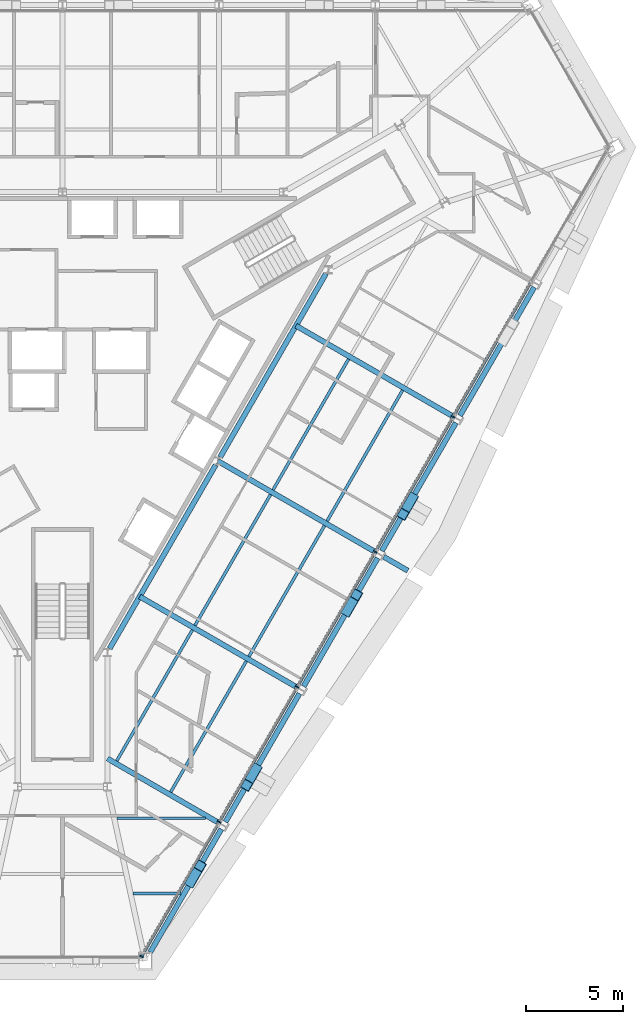
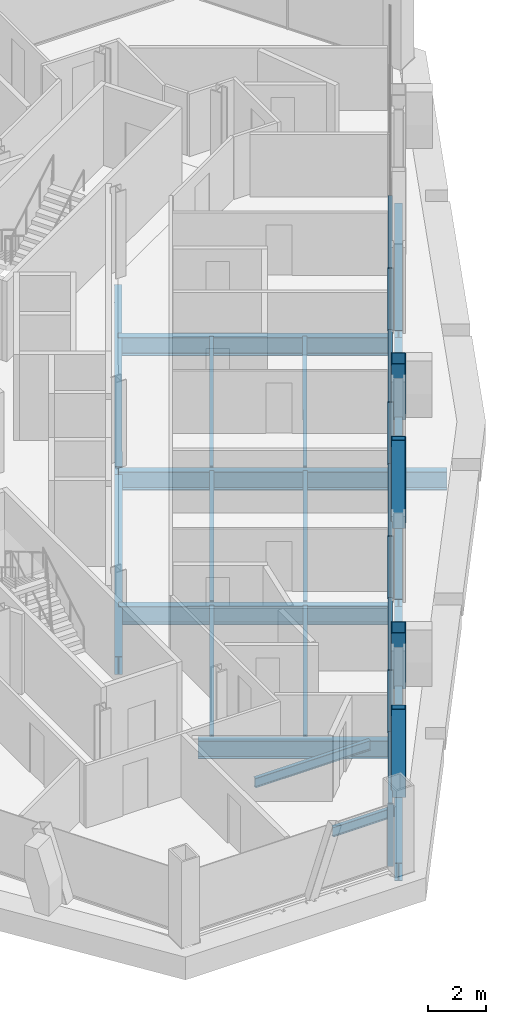
# One storey, part 5 of 16: 20 beams, 14 members, 1 element without a shape of its own.
"""IFC4 building model written with IfcOpenShell, lengths in metres."""

from ifc_helpers import new_model, si_unit, direction, frame, origin, origin_2d, place, context, subcontext, project, spatial, rectangle, hollow_rectangle, i_section, extrude, material, material_profile, profile_set, type_object, element, aggregate, save


model = new_model("IFC4")

# Units and contexts
model_context = context("Model", 3, precision=1e-05, world=origin(), true_north=direction((0.0, 1.0)))
body_context = subcontext(model_context, "Body", "Model", "MODEL_VIEW")
ifc_project = project(units=[si_unit("LENGTHUNIT", "METRE"), si_unit("AREAUNIT", "SQUARE_METRE"), si_unit("VOLUMEUNIT", "CUBIC_METRE"), si_unit("PLANEANGLEUNIT", "RADIAN"), si_unit("MASSUNIT", "GRAM", prefix="KILO")], contexts=[model_context])

# Site, building, storey
site_placement = place(None, origin())
site = spatial("IfcSite", under=ifc_project, at=site_placement, CompositionType="ELEMENT")
building_placement = place(site_placement, origin())
building = spatial("IfcBuilding", under=site, at=building_placement, Name="Verrane Prism Tower", CompositionType="ELEMENT")
storey_placement = place(building_placement, frame((0.0, 0.0, 107.199951171875)))
storey = spatial("IfcBuildingStorey", under=building, at=storey_placement, Name="L25", CompositionType="ELEMENT", Elevation=107.199951171875)

# Beams
ifc_material_1 = material(Name="Steel A992", Category="steel")
ifc_material_profile_1 = material_profile(ifc_material_1, i_section(OverallWidth=0.2666015625, OverallDepth=0.7568359375, WebThickness=0.013916015625, FlangeThickness=0.019287109375, FilletRadius=0.0166015625, at=origin_2d()), Name="W30x108")
ifc_profile_set_1 = profile_set([ifc_material_profile_1], Name="Steel A992")
beam_type_1 = type_object("IfcBeamType", Name="Core ring girder W30x108", PredefinedType="BEAM", material=ifc_profile_set_1)
beam_1_placement = place(storey_placement, frame((2.4150390625, -14.220703125, -0.62841796875), z_axis=(0.500034555306, 0.86600545235, 0.0), x_axis=(-0.86600545235, 0.500034555306, 0.0)))
element("IfcBeam", 1, at=beam_1_placement, inside=storey, type_object=beam_type_1, Name="Core ring girder L25", PredefinedType="BEAM", context=body_context, shape_type="SweptSolid", body=[
    extrude(i_section(OverallWidth=0.2666015625, OverallDepth=0.7568359375, WebThickness=0.013916015625, FlangeThickness=0.019287109375, FilletRadius=0.0166015625, at=origin_2d()), origin(), (0.0, 0.0, 1.0), 10.879150390625),
])
beam_2_placement = place(storey_placement, frame((8.0849609375, -4.400634765625, -0.62841796875), z_axis=(0.4993706109, 0.866388476937, 0.0), x_axis=(-0.866388476937, 0.4993706109, 0.0)))
element("IfcBeam", 2, at=beam_2_placement, inside=storey, type_object=beam_type_1, Name="Core ring girder L25", PredefinedType="BEAM", context=body_context, shape_type="SweptSolid", body=[
    extrude(i_section(OverallWidth=0.2666015625, OverallDepth=0.7568359375, WebThickness=0.013916015625, FlangeThickness=0.019287109375, FilletRadius=0.0166015625, at=origin_2d()), origin(), (0.0, 0.0, 1.0), 10.8740234375),
])

# Members
ifc_material_2 = material(Name="Steel A1085 Grade A", Category="steel")
ifc_material_profile_2 = material_profile(ifc_material_2, hollow_rectangle(XDim=0.508056640625, YDim=0.508056640625, WallThickness=0.025390625, InnerFilletRadius=0.0126953125, OuterFilletRadius=0.0380859375, at=origin_2d()), Name="HSS20x20x1")
ifc_profile_set_2 = profile_set([ifc_material_profile_2], Name="Steel A1085 Grade A")
member_type_1 = type_object("IfcMemberType", Name="Facade brace HSS20x20x1", PredefinedType="BRACE", material=ifc_profile_set_2)
for number, where, z_axis, x_axis, name in (
    (3, (6.57861328125, -26.18701171875, -0.242431640625), (0.151580861177, 0.262791717489, 0.952871321714), (-0.86622802292, 0.49964888903, 0.0), "Facade brace SE0 L25"),
    (4, (9.92138671875, -20.39306640625, -0.242431640625), (-0.151580861177, -0.262791717489, 0.952871321714), (0.86622802292, -0.49964888903, 0.0), "Facade brace SE1 L25"),
):
    element("IfcMember", number, at=place(storey_placement, frame(where, z_axis=z_axis, x_axis=x_axis)), inside=storey, type_object=member_type_1, Name=name, PredefinedType="BRACE", context=body_context, shape_type="SweptSolid", body=[
        extrude(hollow_rectangle(XDim=0.508056640625, YDim=0.508056640625, WallThickness=0.025390625, InnerFilletRadius=0.0126953125, OuterFilletRadius=0.0380859375, at=origin_2d()), origin(), (0.0, 0.0, 1.0), 3.15673828125),
    ])
member_1_placement = place(storey_placement, frame((14.598388671875, -12.287109375, -0.242431640625), z_axis=(0.151653337577, 0.262860629488, 0.952840781383), x_axis=(-0.866181343495, 0.499729807177, 0.0)))
element("IfcMember", 5, at=member_1_placement, inside=storey, type_object=member_type_1, Name="Facade brace SE2 L25", PredefinedType="BRACE", context=body_context, shape_type="SweptSolid", body=[
    extrude(hollow_rectangle(XDim=0.508056640625, YDim=0.508056640625, WallThickness=0.025390625, InnerFilletRadius=0.0126953125, OuterFilletRadius=0.0380859375, at=origin_2d()), origin(), (0.0, 0.0, 1.0), 3.156982421875),
])
member_2_placement = place(storey_placement, frame((17.94140625, -6.497314453125, -0.242431640625), z_axis=(-0.151596255509, -0.262431681093, 0.952968093943), x_axis=(0.865909288953, -0.500201062879, 0.0)))
element("IfcMember", 6, at=member_2_placement, inside=storey, type_object=member_type_1, Name="Facade brace SE3 L25", PredefinedType="BRACE", context=body_context, shape_type="SweptSolid", body=[
    extrude(hollow_rectangle(XDim=0.508056640625, YDim=0.508056640625, WallThickness=0.025390625, InnerFilletRadius=0.0126953125, OuterFilletRadius=0.0380859375, at=origin_2d()), origin(), (0.0, 0.0, 1.0), 3.156494140625),
])

# Beams
ifc_material_3 = material(Name="Steel A992", Category="steel")
ifc_material_profile_3 = material_profile(ifc_material_3, i_section(OverallWidth=0.140380859375, OverallDepth=0.40380859375, WebThickness=0.007080078125, FlangeThickness=0.01123046875, FilletRadius=0.01025390625, at=origin_2d()), Name="W16x31")
ifc_profile_set_3 = profile_set([ifc_material_profile_3], Name="Steel A992")
beam_type_2 = type_object("IfcBeamType", Name="Floor beam W16x31", PredefinedType="BEAM", material=ifc_profile_set_3)
beam_3_placement = place(storey_placement, frame((3.625, -26.776611328125, -0.36181640625), z_axis=(1.0, 0.0, 0.0), x_axis=(0.0, 1.0, 0.0)))
element("IfcBeam", 7, at=beam_3_placement, inside=storey, type_object=beam_type_2, Name="Floor beam L25", PredefinedType="BEAM", context=body_context, shape_type="SweptSolid", body=[
    extrude(i_section(OverallWidth=0.140380859375, OverallDepth=0.40380859375, WebThickness=0.007080078125, FlangeThickness=0.01123046875, FilletRadius=0.01025390625, at=origin_2d()), origin(), (0.0, 0.0, 1.0), 2.458984375),
])
beam_4_placement = place(storey_placement, frame((2.78662109375, -22.913330078125, -0.36181640625), z_axis=(1.0, 0.0, 0.0), x_axis=(0.0, 1.0, 0.0)))
element("IfcBeam", 8, at=beam_4_placement, inside=storey, type_object=beam_type_2, Name="Floor beam L25", PredefinedType="BEAM", context=body_context, shape_type="SweptSolid", body=[
    extrude(i_section(OverallWidth=0.140380859375, OverallDepth=0.40380859375, WebThickness=0.007080078125, FlangeThickness=0.01123046875, FilletRadius=0.01025390625, at=origin_2d()), origin(), (0.0, 0.0, 1.0), 4.544921875),
])
ifc_material_4 = material(Name="Steel A992", Category="steel")
ifc_material_profile_4 = material_profile(ifc_material_4, i_section(OverallWidth=0.15234375, OverallDepth=0.449462890625, WebThickness=0.007568359375, FlangeThickness=0.0107421875, FilletRadius=0.01025390625, at=origin_2d()), Name="W18x35")
ifc_profile_set_4 = profile_set([ifc_material_profile_4], Name="Steel A992")
beam_type_3 = type_object("IfcBeamType", Name="Floor beam W18x35", PredefinedType="BEAM", material=ifc_profile_set_4)
beam_5_placement = place(storey_placement, frame((5.5498046875, -21.57470703125, -0.384765625), z_axis=(0.500009527944, 0.866019902754, 0.0), x_axis=(-0.866019902754, 0.500009527944, 0.0)))
element("IfcBeam", 9, at=beam_5_placement, inside=storey, type_object=beam_type_3, Name="Floor beam L25", PredefinedType="BEAM", context=body_context, shape_type="SweptSolid", body=[
    extrude(i_section(OverallWidth=0.15234375, OverallDepth=0.449462890625, WebThickness=0.007568359375, FlangeThickness=0.0107421875, FilletRadius=0.01025390625, at=origin_2d()), origin(), (0.0, 0.0, 1.0), 7.754150390625),
])
beam_6_placement = place(storey_placement, frame((2.783203125, -19.97509765625, -0.384765625), z_axis=(0.500000526688, 0.866025099701, 0.0), x_axis=(-0.866025099701, 0.500000526688, 0.0)))
element("IfcBeam", 10, at=beam_6_placement, inside=storey, type_object=beam_type_3, Name="Floor beam L25", PredefinedType="BEAM", context=body_context, shape_type="SweptSolid", body=[
    extrude(i_section(OverallWidth=0.15234375, OverallDepth=0.449462890625, WebThickness=0.007568359375, FlangeThickness=0.0107421875, FilletRadius=0.01025390625, at=origin_2d()), origin(), (0.0, 0.0, 1.0), 7.751953125),
])
for number, where, z_axis, x_axis, name in (
    (11, (9.559326171875, -14.627197265625, -0.384765625), (0.500028499731, 0.866008948832, 0.0), (-0.866008948832, 0.500028499731, 0.0), "Floor beam L25"),
    (12, (6.7919921875, -13.0302734375, -0.384765625), (0.500028499731, 0.866008948832, 0.0), (-0.866008948832, 0.500028499731, 0.0), "Floor beam L25"),
):
    element("IfcBeam", number, at=place(storey_placement, frame(where, z_axis=z_axis, x_axis=x_axis)), inside=storey, type_object=beam_type_3, Name=name, PredefinedType="BEAM", context=body_context, shape_type="SweptSolid", body=[
        extrude(i_section(OverallWidth=0.15234375, OverallDepth=0.449462890625, WebThickness=0.007568359375, FlangeThickness=0.0107421875, FilletRadius=0.01025390625, at=origin_2d()), origin(), (0.0, 0.0, 1.0), 7.7568359375),
    ])
beam_7_placement = place(storey_placement, frame((13.568603515625, -7.6767578125, -0.384765625), z_axis=(0.499981532947, 0.86603606548, 0.0), x_axis=(-0.86603606548, 0.499981532947, 0.0)))
element("IfcBeam", 13, at=beam_7_placement, inside=storey, type_object=beam_type_3, Name="Floor beam L25", PredefinedType="BEAM", context=body_context, shape_type="SweptSolid", body=[
    extrude(i_section(OverallWidth=0.15234375, OverallDepth=0.449462890625, WebThickness=0.007568359375, FlangeThickness=0.0107421875, FilletRadius=0.01025390625, at=origin_2d()), origin(), (0.0, 0.0, 1.0), 7.749267578125),
])
beam_8_placement = place(storey_placement, frame((10.7978515625, -6.077880859375, -0.384765625), z_axis=(0.499984211786, 0.866034518922, 0.0), x_axis=(-0.866034518922, 0.499984211786, 0.0)))
element("IfcBeam", 14, at=beam_8_placement, inside=storey, type_object=beam_type_3, Name="Floor beam L25", PredefinedType="BEAM", context=body_context, shape_type="SweptSolid", body=[
    extrude(i_section(OverallWidth=0.15234375, OverallDepth=0.449462890625, WebThickness=0.007568359375, FlangeThickness=0.0107421875, FilletRadius=0.01025390625, at=origin_2d()), origin(), (0.0, 0.0, 1.0), 7.750732421875),
])

# Curtain wall, members
ifc_material_5 = material(Name="Aluminium framed insulated glazing", Category="aluminium")
curtain_wall_type = type_object("IfcCurtainWallType", Name="Curtain wall CW-A 8400 module", PredefinedType="NOTDEFINED", material=ifc_material_5)
curtain_wall_placement = place(storey_placement, origin())
curtain_wall = element("IfcCurtainWall", 15, at=curtain_wall_placement, inside=storey, type_object=curtain_wall_type, Name="Glazed curtain wall south-east face L25", PredefinedType="NOTDEFINED")
ifc_material_6 = material(Name="Aluminium alloy 6063-T6", Category="aluminium")
ifc_material_profile_5 = material_profile(ifc_material_6, rectangle(XDim=0.199951171875, YDim=0.070068359375, at=origin_2d()), Name="Mullion 70x200 aluminium")
ifc_profile_set_5 = profile_set([ifc_material_profile_5], Name="Aluminium alloy 6063-T6")
member_type_2 = type_object("IfcMemberType", Name="Mullion 70x200 aluminium", PredefinedType="MULLION", material=ifc_profile_set_5)
member_3_placement = place(storey_placement, frame((4.051513671875, -30.004638671875, 0.0), z_axis=(0.0, 0.0, 1.0), x_axis=(-0.866025402318, 0.500000002539, 0.0)))
member_3 = element("IfcMember", 16, at=member_3_placement, type_object=member_type_2, Name="CW24.6 mullion 1", PredefinedType="MULLION", context=body_context, shape_type="SweptSolid", body=[
    extrude(rectangle(XDim=0.199951171875, YDim=0.070068359375, at=origin_2d()), origin(), (0.0, 0.0, 1.0), 2.613037109375),
])
member_4_placement = place(storey_placement, frame((8.032958984375, -23.1083984375, 0.0), z_axis=(0.0, 0.0, 1.0), x_axis=(-0.866025402318, 0.500000002539, 0.0)))
member_4 = element("IfcMember", 17, at=member_4_placement, type_object=member_type_2, Name="CW24.6 mullion 2", PredefinedType="MULLION", context=body_context, shape_type="SweptSolid", body=[
    extrude(rectangle(XDim=0.199951171875, YDim=0.070068359375, at=origin_2d()), origin(), (0.0, 0.0, 1.0), 2.613037109375),
])
member_5_placement = place(storey_placement, frame((12.031982421875, -16.181884765625, 0.0), z_axis=(0.0, 0.0, 1.0), x_axis=(-0.866025402318, 0.500000002539, 0.0)))
member_5 = element("IfcMember", 18, at=member_5_placement, type_object=member_type_2, Name="CW24.6 mullion 3", PredefinedType="MULLION", context=body_context, shape_type="SweptSolid", body=[
    extrude(rectangle(XDim=0.199951171875, YDim=0.070068359375, at=origin_2d()), origin(), (0.0, 0.0, 1.0), 2.613037109375),
])
member_6_placement = place(storey_placement, frame((16.031005859375, -9.255615234375, 0.0), z_axis=(0.0, 0.0, 1.0), x_axis=(-0.866025402318, 0.500000002539, 0.0)))
member_6 = element("IfcMember", 19, at=member_6_placement, type_object=member_type_2, Name="CW24.6 mullion 4", PredefinedType="MULLION", context=body_context, shape_type="SweptSolid", body=[
    extrude(rectangle(XDim=0.199951171875, YDim=0.070068359375, at=origin_2d()), origin(), (0.0, 0.0, 1.0), 2.613037109375),
])
member_7_placement = place(storey_placement, frame((20.030029296875, -2.3291015625, 0.0), z_axis=(0.0, 0.0, 1.0), x_axis=(-0.866025402318, 0.500000002539, 0.0)))
member_7 = element("IfcMember", 20, at=member_7_placement, type_object=member_type_2, Name="CW24.6 mullion 5", PredefinedType="MULLION", context=body_context, shape_type="SweptSolid", body=[
    extrude(rectangle(XDim=0.199951171875, YDim=0.070068359375, at=origin_2d()), origin(), (0.0, 0.0, 1.0), 2.613037109375),
])

# Beams
ifc_material_7 = material(Name="Steel A992", Category="steel")
ifc_material_profile_6 = material_profile(ifc_material_7, i_section(OverallWidth=0.2666015625, OverallDepth=0.76708984375, WebThickness=0.014892578125, FlangeThickness=0.023681640625, FilletRadius=0.0166015625, at=origin_2d()), Name="W30x124")
ifc_profile_set_6 = profile_set([ifc_material_profile_6], Name="Steel A992")
beam_type_4 = type_object("IfcBeamType", Name="Radial girder W30x124", PredefinedType="BEAM", material=ifc_profile_set_6)
beam_9_placement = place(storey_placement, frame((8.044189453125, -23.17138671875, -0.603515625), z_axis=(-0.866007825616, 0.500030445044, 0.0), x_axis=(-0.500030445044, -0.866007825616, 0.0)))
element("IfcBeam", 21, at=beam_9_placement, inside=storey, type_object=beam_type_4, Name="Radial girder L25", PredefinedType="BEAM", context=body_context, shape_type="SweptSolid", body=[
    extrude(i_section(OverallWidth=0.2666015625, OverallDepth=0.76708984375, WebThickness=0.014892578125, FlangeThickness=0.023681640625, FilletRadius=0.0166015625, at=origin_2d()), origin(), (0.0, 0.0, 1.0), 6.6328125),
])
beam_10_placement = place(storey_placement, frame((12.05419921875, -16.22119140625, -0.603515625), z_axis=(-0.866018138487, 0.500012583653, 0.0), x_axis=(-0.500012583653, -0.866018138487, 0.0)))
element("IfcBeam", 22, at=beam_10_placement, inside=storey, type_object=beam_type_4, Name="Radial girder L25", PredefinedType="BEAM", context=body_context, shape_type="SweptSolid", body=[
    extrude(i_section(OverallWidth=0.2666015625, OverallDepth=0.76708984375, WebThickness=0.014892578125, FlangeThickness=0.023681640625, FilletRadius=0.0166015625, at=origin_2d()), origin(), (0.0, 0.0, 1.0), 9.347900390625),
])
beam_11_placement = place(storey_placement, frame((16.064208984375, -9.271240234375, -0.603515625), z_axis=(-0.866015917575, 0.500016430238, 0.0), x_axis=(-0.500016430238, -0.866015917575, 0.0)))
element("IfcBeam", 23, at=beam_11_placement, inside=storey, type_object=beam_type_4, Name="Radial girder L25", PredefinedType="BEAM", context=body_context, shape_type="SweptSolid", body=[
    extrude(i_section(OverallWidth=0.2666015625, OverallDepth=0.76708984375, WebThickness=0.014892578125, FlangeThickness=0.023681640625, FilletRadius=0.0166015625, at=origin_2d()), origin(), (0.0, 0.0, 1.0), 9.345458984375),
])
beam_12_placement = place(storey_placement, frame((20.07421875, -2.331298828125, -0.603515625), z_axis=(-0.866026073768, 0.499998839552, 0.0), x_axis=(-0.499998839552, -0.866026073768, 0.0)))
element("IfcBeam", 24, at=beam_12_placement, inside=storey, type_object=beam_type_4, Name="Radial girder L25", PredefinedType="BEAM", context=body_context, shape_type="SweptSolid", body=[
    extrude(i_section(OverallWidth=0.2666015625, OverallDepth=0.76708984375, WebThickness=0.014892578125, FlangeThickness=0.023681640625, FilletRadius=0.0166015625, at=origin_2d()), origin(), (0.0, 0.0, 1.0), 9.35400390625),
])
beam_13_placement = place(storey_placement, frame((16.47216796875, -9.506591796875, -0.603515625), z_axis=(0.866000213925, -0.500043627578, 0.0), x_axis=(0.500043627578, 0.866000213925, 0.0)))
element("IfcBeam", 25, at=beam_13_placement, inside=storey, type_object=beam_type_4, Name="Cantilever girder L25", PredefinedType="BEAM", context=body_context, shape_type="SweptSolid", body=[
    extrude(i_section(OverallWidth=0.2666015625, OverallDepth=0.76708984375, WebThickness=0.014892578125, FlangeThickness=0.023681640625, FilletRadius=0.0166015625, at=origin_2d()), origin(), (0.0, 0.0, 1.0), 1.425537109375),
])
ifc_material_8 = material(Name="Steel A992", Category="steel")
ifc_material_profile_7 = material_profile(ifc_material_8, i_section(OverallWidth=0.2666015625, OverallDepth=0.7568359375, WebThickness=0.013916015625, FlangeThickness=0.019287109375, FilletRadius=0.0166015625, at=origin_2d()), Name="W30x108")
ifc_profile_set_7 = profile_set([ifc_material_profile_7], Name="Steel A992")
beam_type_5 = type_object("IfcBeamType", Name="Spandrel beam W30x108", PredefinedType="SPANDREL", material=ifc_profile_set_7)
beam_14_placement = place(storey_placement, frame((4.49951171875, -29.7900390625, -0.538330078125), z_axis=(0.499768824934, 0.866158831638, 0.0), x_axis=(-0.866158831638, 0.499768824934, 0.0)))
element("IfcBeam", 26, at=beam_14_placement, inside=storey, type_object=beam_type_5, Name="Spandrel beam L25", PredefinedType="SPANDREL", context=body_context, shape_type="SweptSolid", body=[
    extrude(i_section(OverallWidth=0.2666015625, OverallDepth=0.7568359375, WebThickness=0.013916015625, FlangeThickness=0.019287109375, FilletRadius=0.0166015625, at=origin_2d()), origin(), (0.0, 0.0, 1.0), 7.29248046875),
])
for number, where, z_axis, x_axis, name in (
    (27, (8.35595703125, -23.106201171875, -0.538330078125), (0.499770658239, 0.866157773828, 0.0), (-0.866157773828, 0.499770658239, 0.0), "Spandrel beam L25"),
    (28, (12.365966796875, -16.15625, -0.538330078125), (0.499770658239, 0.866157773828, 0.0), (-0.866157773828, 0.499770658239, 0.0), "Spandrel beam L25"),
):
    element("IfcBeam", number, at=place(storey_placement, frame(where, z_axis=z_axis, x_axis=x_axis)), inside=storey, type_object=beam_type_5, Name=name, PredefinedType="SPANDREL", context=body_context, shape_type="SweptSolid", body=[
        extrude(i_section(OverallWidth=0.2666015625, OverallDepth=0.7568359375, WebThickness=0.013916015625, FlangeThickness=0.019287109375, FilletRadius=0.0166015625, at=origin_2d()), origin(), (0.0, 0.0, 1.0), 7.599609375),
    ])
beam_15_placement = place(storey_placement, frame((16.376220703125, -9.206298828125, -0.538330078125), z_axis=(0.500279205376, 0.865864144464, 0.0), x_axis=(-0.865864144464, 0.500279205376, 0.0)))
element("IfcBeam", 29, at=beam_15_placement, inside=storey, type_object=beam_type_5, Name="Spandrel beam L25", PredefinedType="SPANDREL", context=body_context, shape_type="SweptSolid", body=[
    extrude(i_section(OverallWidth=0.2666015625, OverallDepth=0.7568359375, WebThickness=0.013916015625, FlangeThickness=0.019287109375, FilletRadius=0.0166015625, at=origin_2d()), origin(), (0.0, 0.0, 1.0), 7.591064453125),
])
beam_16_placement = place(storey_placement, frame((20.38623046875, -2.266357421875, -0.538330078125), z_axis=(0.500695808248, 0.865623305834, 0.0), x_axis=(-0.865623305834, 0.500695808248, 0.0)))
element("IfcBeam", 30, at=beam_16_placement, inside=storey, type_object=beam_type_5, Name="Spandrel beam L25", PredefinedType="SPANDREL", context=body_context, shape_type="SweptSolid", body=[
    extrude(i_section(OverallWidth=0.2666015625, OverallDepth=0.7568359375, WebThickness=0.013916015625, FlangeThickness=0.019287109375, FilletRadius=0.0166015625, at=origin_2d()), origin(), (0.0, 0.0, 1.0), 7.604736328125),
])

# Member
ifc_material_9 = material(Name="Aluminium alloy 6063-T6", Category="aluminium")
ifc_material_profile_8 = material_profile(ifc_material_9, rectangle(XDim=0.14990234375, YDim=0.070068359375, at=origin_2d()), Name="Transom 70x150 aluminium")
ifc_profile_set_8 = profile_set([ifc_material_profile_8], Name="Aluminium alloy 6063-T6")
member_type_3 = type_object("IfcMemberType", Name="Transom 70x150 aluminium", PredefinedType="USERDEFINED", material=ifc_profile_set_8)
member_8_placement = place(storey_placement, frame((4.06884765625, -29.974365234375, 0.03515625), z_axis=(0.500008053694, 0.866020753932, 0.0), x_axis=(-0.866020753932, 0.500008053694, 0.0)))
member_8 = element("IfcMember", 31, at=member_8_placement, type_object=member_type_3, Name="CW24.6 transom 1", ObjectType="TRANSOM", PredefinedType="USERDEFINED", context=body_context, shape_type="SweptSolid", body=[
    extrude(rectangle(XDim=0.14990234375, YDim=0.070068359375, at=origin_2d()), origin(), (0.0, 0.0, 1.0), 7.892822265625),
])

member_9_placement = place(storey_placement, frame((8.050537109375, -23.078125, 0.03515625), z_axis=(0.499994358189, 0.866028661061, 0.0), x_axis=(-0.866028661061, 0.499994358189, 0.0)))
member_9 = element("IfcMember", 32, at=member_9_placement, type_object=member_type_3, Name="CW24.6 transom 2", ObjectType="TRANSOM", PredefinedType="USERDEFINED", context=body_context, shape_type="SweptSolid", body=[
    extrude(rectangle(XDim=0.14990234375, YDim=0.070068359375, at=origin_2d()), origin(), (0.0, 0.0, 1.0), 7.927734375),
])

member_10_placement = place(storey_placement, frame((12.04931640625, -16.151611328125, 0.03515625), z_axis=(0.50001745439, 0.866015326253, 0.0), x_axis=(-0.866015326253, 0.50001745439, 0.0)))
member_10 = element("IfcMember", 33, at=member_10_placement, type_object=member_type_3, Name="CW24.6 transom 3", ObjectType="TRANSOM", PredefinedType="USERDEFINED", context=body_context, shape_type="SweptSolid", body=[
    extrude(rectangle(XDim=0.14990234375, YDim=0.070068359375, at=origin_2d()), origin(), (0.0, 0.0, 1.0), 7.927978515625),
])

member_11_placement = place(storey_placement, frame((16.04833984375, -9.22509765625, 0.03515625), z_axis=(0.50001745439, 0.866015326253, 0.0), x_axis=(-0.866015326253, 0.50001745439, 0.0)))
member_11 = element("IfcMember", 34, at=member_11_placement, type_object=member_type_3, Name="CW24.6 transom 4", ObjectType="TRANSOM", PredefinedType="USERDEFINED", context=body_context, shape_type="SweptSolid", body=[
    extrude(rectangle(XDim=0.14990234375, YDim=0.070068359375, at=origin_2d()), origin(), (0.0, 0.0, 1.0), 7.927978515625),
])

member_12_placement = place(storey_placement, frame((20.04736328125, -2.298583984375, 0.03515625), z_axis=(0.50001745439, 0.866015326253, 0.0), x_axis=(-0.866015326253, 0.50001745439, 0.0)))
member_12 = element("IfcMember", 35, at=member_12_placement, type_object=member_type_3, Name="CW24.6 transom 5", ObjectType="TRANSOM", PredefinedType="USERDEFINED", context=body_context, shape_type="SweptSolid", body=[
    extrude(rectangle(XDim=0.14990234375, YDim=0.070068359375, at=origin_2d()), origin(), (0.0, 0.0, 1.0), 7.927978515625),
])

aggregate(curtain_wall, [member_3, member_4, member_5, member_6, member_7, member_8, member_9, member_10, member_11, member_12])

save(model, "model.ifc")
